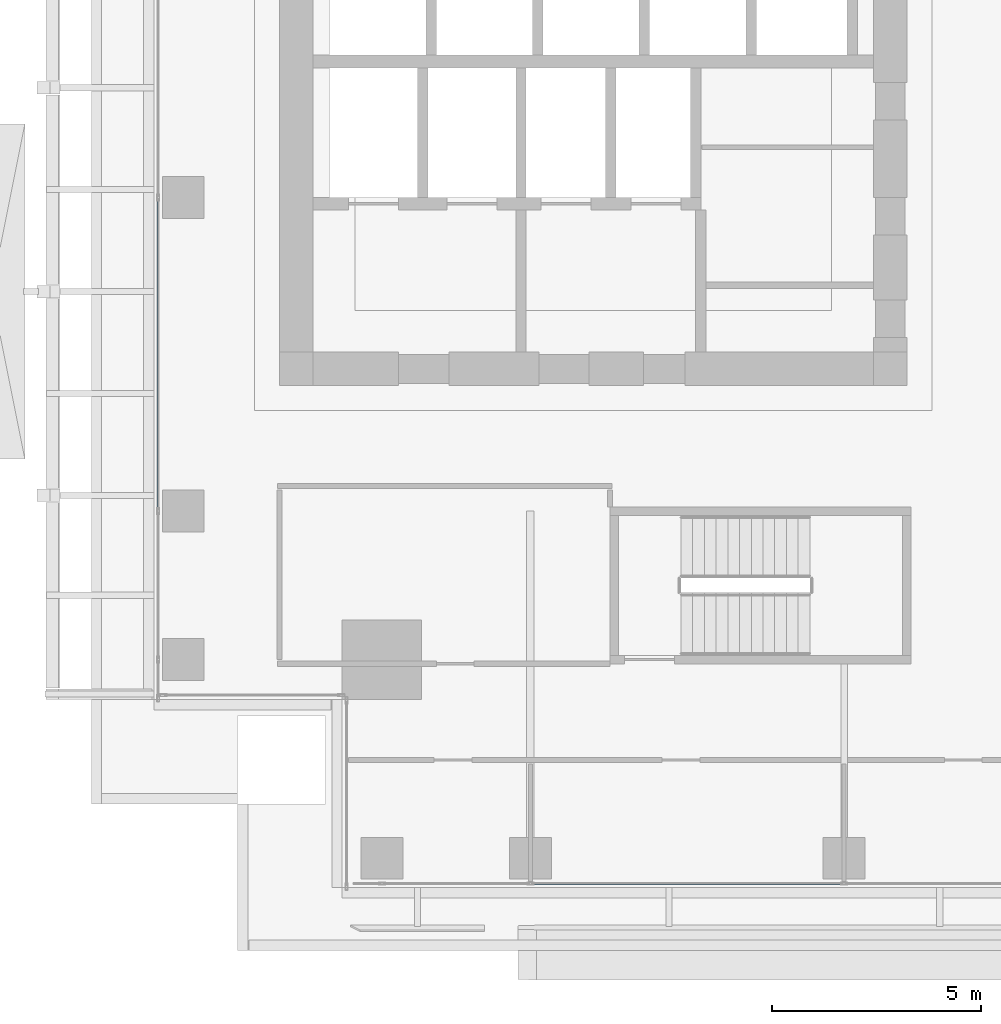
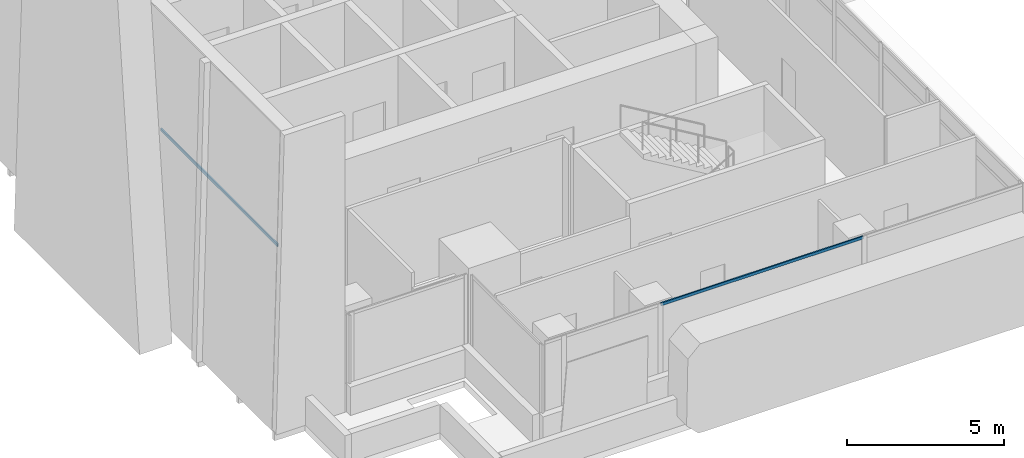
# One storey, part 3 of 43: 2 members, 2 elements without a shape of their own.
"""IFC4 building model written with IfcOpenShell, lengths in metres."""

import ifcopenshell
import ifcopenshell.guid

model = None  # the IFC model being written
_history = None  # IfcOwnerHistory: only IFC2X3 demands one
_inside = {}  # id of a spatial element -> (the spatial element, [elements in it])
_under = {}  # id of a project, library or spatial element -> (it, [spatial elements below it])
_declared = {}  # id of a project -> (the project, [libraries it declares])
_typed = {}  # id of a type object -> (the type object, [elements of that type])
_made_of = {}  # id of a material, layer set ... -> (it, [elements and type objects made of it])


def new_model(schema):
    """Start an empty IFC model of exactly this schema.

    Asked for "IFC4X3", IfcOpenShell would pick the latest addendum, in which some entities
    have other attributes; the version numbers below select the first issue.
    IFC2X3 requires an IfcOwnerHistory on every rooted entity: one is made here for all.
    """
    global model, _history
    if schema == "IFC4X3":
        model = ifcopenshell.file(schema_version=(4, 3, 0, 0))
    else:
        model = ifcopenshell.file(schema=schema)
    _inside.clear()
    _under.clear()
    _declared.clear()
    _typed.clear()
    _made_of.clear()
    _history = None
    if model.schema == "IFC2X3":
        org = make("IfcOrganization", Name="unknown")
        user = make(
            "IfcPersonAndOrganization",
            ThePerson=make("IfcPerson", FamilyName="unknown"),
            TheOrganization=org,
        )
        app = make(
            "IfcApplication",
            ApplicationDeveloper=org,
            Version="unknown",
            ApplicationFullName="unknown",
            ApplicationIdentifier="unknown",
        )
        _history = make(
            "IfcOwnerHistory",
            OwningUser=user,
            OwningApplication=app,
            ChangeAction="ADDED",
            CreationDate=0,
        )
    return model


def make(cls, **values):
    """One entity of the class cls with the attributes given. An attribute that is None is left unset."""
    return model.create_entity(
        cls, **{name: value for name, value in values.items() if value is not None}
    )


def rooted(cls, **values):
    """An entity with a GlobalId (a new one), such as an element, a storey or a relation."""
    return make(cls, GlobalId=ifcopenshell.guid.new(), OwnerHistory=_history, **values)


def si_unit(unit_type, name, prefix=None):
    """IfcSIUnit, for example si_unit("LENGTHUNIT", "METRE", prefix="MILLI")."""
    return make("IfcSIUnit", UnitType=unit_type, Prefix=prefix, Name=name)


def assignment(units):
    """IfcUnitAssignment: the units of a project."""
    return None if units is None else make("IfcUnitAssignment", Units=units)


def point(xyz):
    """IfcCartesianPoint."""
    return None if xyz is None else make("IfcCartesianPoint", Coordinates=xyz)


def direction(xyz):
    """IfcDirection."""
    return None if xyz is None else make("IfcDirection", DirectionRatios=xyz)


def frame(location, z_axis=None, x_axis=None):
    """IfcAxis2Placement3D, a coordinate frame: its origin and axes. An axis left out is left unset."""
    return make(
        "IfcAxis2Placement3D",
        Location=point(location),
        Axis=direction(z_axis),
        RefDirection=direction(x_axis),
    )


def frame_2d(location, x_axis=None):
    """IfcAxis2Placement2D, a coordinate frame in the plane: its origin and x axis."""
    return make(
        "IfcAxis2Placement2D", Location=point(location), RefDirection=direction(x_axis)
    )


def origin():
    """The frame at (0, 0, 0) with its axes left unset."""
    return frame((0.0, 0.0, 0.0))


def origin_2d():
    """The frame at (0, 0) in the plane with its x axis left unset."""
    return frame_2d((0.0, 0.0))


def place(relative_to, where):
    """IfcLocalPlacement: puts the frame where relative to a parent placement (None: the world)."""
    return make(
        "IfcLocalPlacement", PlacementRelTo=relative_to, RelativePlacement=where
    )


def context(
    kind, dimensions, precision=None, world=None, true_north=None, identifier=None
):
    """IfcGeometricRepresentationContext, for example the 3D "Model" context."""
    return make(
        "IfcGeometricRepresentationContext",
        ContextIdentifier=identifier,
        ContextType=kind,
        CoordinateSpaceDimension=dimensions,
        Precision=precision,
        WorldCoordinateSystem=world,
        TrueNorth=true_north,
    )


def subcontext(parent, identifier, kind, view, scale=None):
    """IfcGeometricRepresentationSubContext, for example "Body" below "Model"."""
    return make(
        "IfcGeometricRepresentationSubContext",
        ContextIdentifier=identifier,
        ContextType=kind,
        ParentContext=parent,
        TargetScale=scale,
        TargetView=view,
    )


def project(units=None, contexts=None):
    """IfcProject with its units and contexts."""
    return rooted(
        "IfcProject",
        Name="project",
        RepresentationContexts=contexts,
        UnitsInContext=assignment(units),
    )


def spatial(cls, under=None, at=None, **own):
    """A site, building, storey or space (cls), placed at a placement, below another one or the project."""
    s = rooted(cls, ObjectPlacement=at, **own)
    if under is not None:
        _under.setdefault(under.id(), (under, []))[1].append(s)
    return s


def profile(cls, at=None, kind="AREA", **sizes):
    """A parametric profile (cls). Its sizes go by their IFC names, for example OverallWidth=200.0."""
    return make(cls, ProfileType=kind, Position=at, **sizes)


def hollow_rectangle(**sizes):
    """IfcRectangleHollowProfileDef."""
    return profile("IfcRectangleHollowProfileDef", **sizes)


def extrude(swept, where, along, depth):
    """IfcExtrudedAreaSolid: the profile swept, set in the frame where, extruded along a direction by depth."""
    return make(
        "IfcExtrudedAreaSolid",
        SweptArea=swept,
        Position=where,
        ExtrudedDirection=direction(along),
        Depth=depth,
    )


def shape(context_of_items, identifier, shape_type, items):
    """IfcShapeRepresentation: the items that make up one representation, for example the "Body"."""
    return make(
        "IfcShapeRepresentation",
        ContextOfItems=context_of_items,
        RepresentationIdentifier=identifier,
        RepresentationType=shape_type,
        Items=items,
    )


def source(mapping_origin, context_of_items, identifier, shape_type, items):
    """IfcRepresentationMap: a shape defined once, which mapped items show again and again."""
    return make(
        "IfcRepresentationMap",
        MappingOrigin=mapping_origin,
        MappedRepresentation=shape(context_of_items, identifier, shape_type, items),
    )


def transform(
    local_origin,
    x_axis=None,
    y_axis=None,
    z_axis=None,
    scale=None,
    scale2=None,
    scale3=None,
    uniform=True,
):
    """IfcCartesianTransformationOperator3D, or its non-uniform kind. x_axis, y_axis, z_axis: its Axis1, 2, 3."""
    if uniform:
        return make(
            "IfcCartesianTransformationOperator3D",
            Axis1=direction(x_axis),
            Axis2=direction(y_axis),
            LocalOrigin=point(local_origin),
            Scale=scale,
            Axis3=direction(z_axis),
        )
    return make(
        "IfcCartesianTransformationOperator3DnonUniform",
        Axis1=direction(x_axis),
        Axis2=direction(y_axis),
        LocalOrigin=point(local_origin),
        Scale=scale,
        Axis3=direction(z_axis),
        Scale2=scale2,
        Scale3=scale3,
    )


def mapped(mapping_source, mapping_target):
    """IfcMappedItem: shows the shape of a source again, moved by a transform."""
    return make(
        "IfcMappedItem", MappingSource=mapping_source, MappingTarget=mapping_target
    )


def material(Name=None, Category=None):
    """IfcMaterial."""
    return make("IfcMaterial", Name=Name, Category=Category)


def material_profile(
    of_material, cross_section, Name=None, Category=None, Priority=None
):
    """IfcMaterialProfile: a cross section and its material."""
    return make(
        "IfcMaterialProfile",
        Name=Name,
        Material=of_material,
        Profile=cross_section,
        Priority=Priority,
        Category=Category,
    )


def profile_set(profiles, Name=None, composite=None):
    """IfcMaterialProfileSet."""
    return make(
        "IfcMaterialProfileSet",
        Name=Name,
        MaterialProfiles=profiles,
        CompositeProfile=composite,
    )


def made_of(thing, what):
    """Note that an element or type object is made of a material, layer set ...; save() writes the relation."""
    if what is not None:
        _made_of.setdefault(what.id(), (what, []))[1].append(thing)
    return thing


def type_object(cls, material=None, **own):
    """A type object (cls), such as IfcWallType, which elements share."""
    return made_of(rooted(cls, **own), material)


def element(
    cls,
    number,
    at=None,
    inside=None,
    cuts=None,
    type_object=None,
    material=None,
    context=None,
    identifier="Body",
    shape_type=None,
    held_by="IfcProductDefinitionShape",
    body=None,
    shapes=None,
    **own,
):
    """One element of the class cls, such as IfcWall. Its Tag is "e" and its number.

    at: its placement. inside: the storey or other place that contains it. cuts: it is an
    opening in that element (IfcRelVoidsElement). A single representation is given by context,
    identifier, shape_type and body (its items); several are given by shapes. held_by: the class
    of the entity that holds the representations. save() writes the other relations.
    """
    e = rooted(cls, Tag="e%d" % number, ObjectPlacement=at, **own)
    if body is not None:
        shapes = [shape(context, identifier, shape_type, body)]
    if shapes is not None:
        e.Representation = make(held_by, Representations=shapes)
    if inside is not None:
        _inside.setdefault(inside.id(), (inside, []))[1].append(e)
    if cuts is not None:
        rooted(
            "IfcRelVoidsElement", RelatingBuildingElement=cuts, RelatedOpeningElement=e
        )
    if type_object is not None:
        _typed.setdefault(type_object.id(), (type_object, []))[1].append(e)
    return made_of(e, material)


def aggregate(whole, parts):
    """IfcRelAggregates: a whole, such as a stair, and the parts it consists of."""
    return rooted("IfcRelAggregates", RelatingObject=whole, RelatedObjects=parts)


def save(model, path):
    """Write the relations noted so far, then the file.

    IfcRelAggregates (storeys below a building ...), IfcRelContainedInSpatialStructure (elements
    in a storey), IfcRelDefinesByType, IfcRelAssociatesMaterial and IfcRelDeclares: one each for
    every whole, place, type object, material and project.
    """
    for whole, parts in _under.values():
        aggregate(whole, parts)
    for where, things in _inside.values():
        rooted(
            "IfcRelContainedInSpatialStructure",
            RelatedElements=things,
            RelatingStructure=where,
        )
    for kind, things in _typed.values():
        rooted("IfcRelDefinesByType", RelatedObjects=things, RelatingType=kind)
    for what, things in _made_of.values():
        rooted("IfcRelAssociatesMaterial", RelatedObjects=things, RelatingMaterial=what)
    for by, libraries in _declared.values():
        rooted("IfcRelDeclares", RelatingContext=by, RelatedDefinitions=libraries)
    model.write(path)


model = new_model("IFC4")

# Units and contexts
model_context = context("Model", 3, precision=1e-05, world=origin(), true_north=direction((0.0, 1.0)))
body_context = subcontext(model_context, "Body", "Model", "MODEL_VIEW")
ifc_project = project(units=[si_unit("LENGTHUNIT", "METRE"), si_unit("AREAUNIT", "SQUARE_METRE"), si_unit("VOLUMEUNIT", "CUBIC_METRE"), si_unit("PLANEANGLEUNIT", "RADIAN"), si_unit("MASSUNIT", "GRAM", prefix="KILO")], contexts=[model_context])

# Site, building, storey
site_placement = place(None, origin())
site = spatial("IfcSite", under=ifc_project, at=site_placement, CompositionType="ELEMENT")
building_placement = place(site_placement, origin())
building = spatial("IfcBuilding", under=site, at=building_placement, Name="Khomas Fold Tower", CompositionType="ELEMENT")
storey_placement = place(building_placement, frame((0.0, 0.0, 164.699951171875)))
storey = spatial("IfcBuildingStorey", under=building, at=storey_placement, Name="L35", CompositionType="ELEMENT", Elevation=164.699951171875)

# Curtain wall, member
ifc_material_1 = material(Name="Aluminium framed double glazing", Category="aluminium")
curtain_wall_type = type_object("IfcCurtainWallType", Name="SK-Unitised clear-glass wall, office floors CW2", PredefinedType="NOTDEFINED", material=ifc_material_1)
curtain_wall_1_placement = place(storey_placement, origin())
curtain_wall_1 = element("IfcCurtainWall", 1, at=curtain_wall_1_placement, inside=storey, type_object=curtain_wall_type, Name="CW2 run L35 01-0", PredefinedType="NOTDEFINED")
ifc_material_2 = material(Name="Aluminium", Category="aluminium")
ifc_material_profile = material_profile(ifc_material_2, hollow_rectangle(XDim=0.050048828125, YDim=0.110107421875, WallThickness=0.00390625, at=origin_2d()), Name="SK-Unitised clear-glass wall, office floors transom CW2-T")
ifc_profile_set = profile_set([ifc_material_profile], Name="Aluminium")
member_type = type_object("IfcMemberType", Name="SK-Unitised clear-glass wall, office floors transom CW2-T", PredefinedType="USERDEFINED", material=ifc_profile_set)
shared_shape = source(origin(), body_context, "Body", "SweptSolid", [
    extrude(hollow_rectangle(XDim=0.050048828125, YDim=0.110107421875, WallThickness=0.00390625, at=origin_2d()), origin(), (0.0, 0.0, 1.0), 7.43994140625),
])
member_1_placement = place(storey_placement, frame((12.030029296875, 3.10009765625, 3.695068359375), z_axis=(1.0, 0.0, 0.0), x_axis=(0.0, 1.0, 0.0)))
member_1 = element("IfcMember", 2, at=member_1_placement, type_object=member_type, Name="CW2 transom 3", ObjectType="TRANSOM", PredefinedType="USERDEFINED", context=body_context, shape_type="MappedRepresentation", body=[
    mapped(shared_shape, transform((0.0, 0.0, 0.0))),
])
aggregate(curtain_wall_1, [member_1])

curtain_wall_2_placement = place(storey_placement, origin())
curtain_wall_2 = element("IfcCurtainWall", 3, at=curtain_wall_2_placement, inside=storey, type_object=curtain_wall_type, Name="CW2 run L35 18-0", PredefinedType="NOTDEFINED")
member_2_placement = place(storey_placement, frame((3.10009765625, 19.469970703125, 3.695068359375), z_axis=(0.0, -1.0, 0.0), x_axis=(1.0, 0.0, 0.0)))
member_2 = element("IfcMember", 4, at=member_2_placement, type_object=member_type, Name="CW2 transom 6", ObjectType="TRANSOM", PredefinedType="USERDEFINED", context=body_context, shape_type="MappedRepresentation", body=[
    mapped(shared_shape, transform((0.0, 0.0, 0.0))),
])
aggregate(curtain_wall_2, [member_2])

save(model, "model.ifc")
